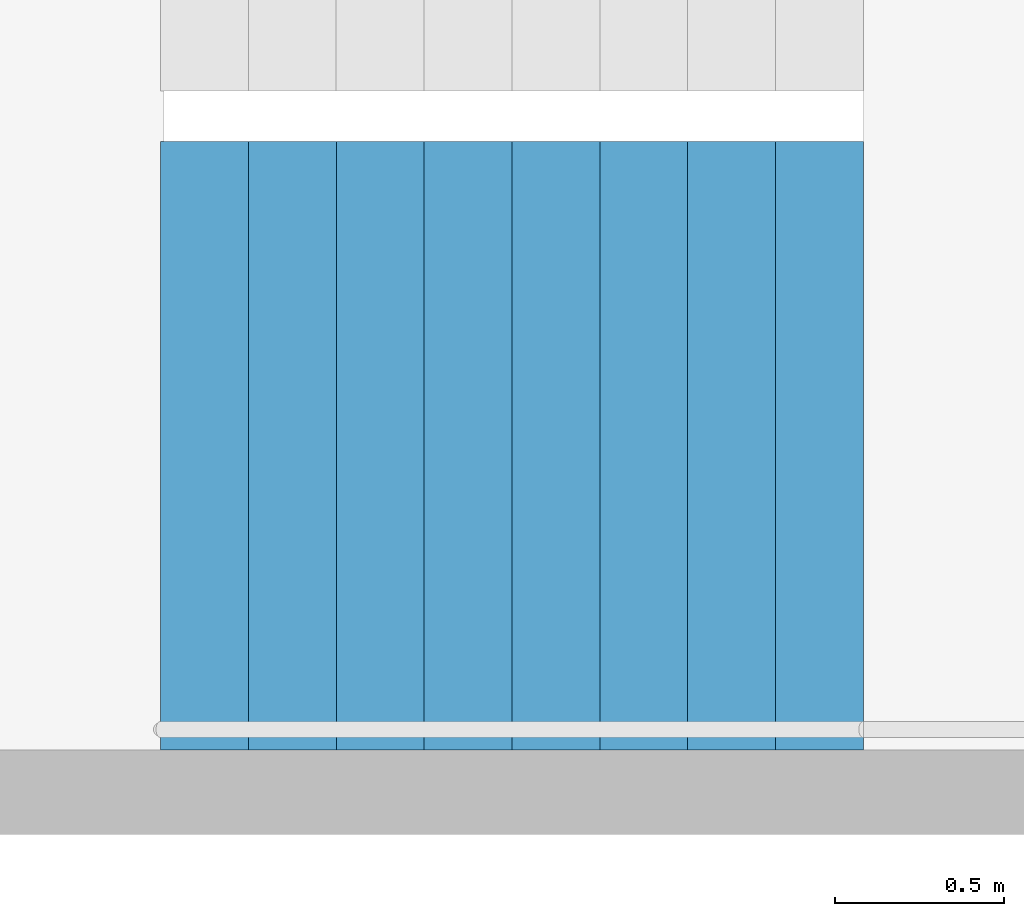
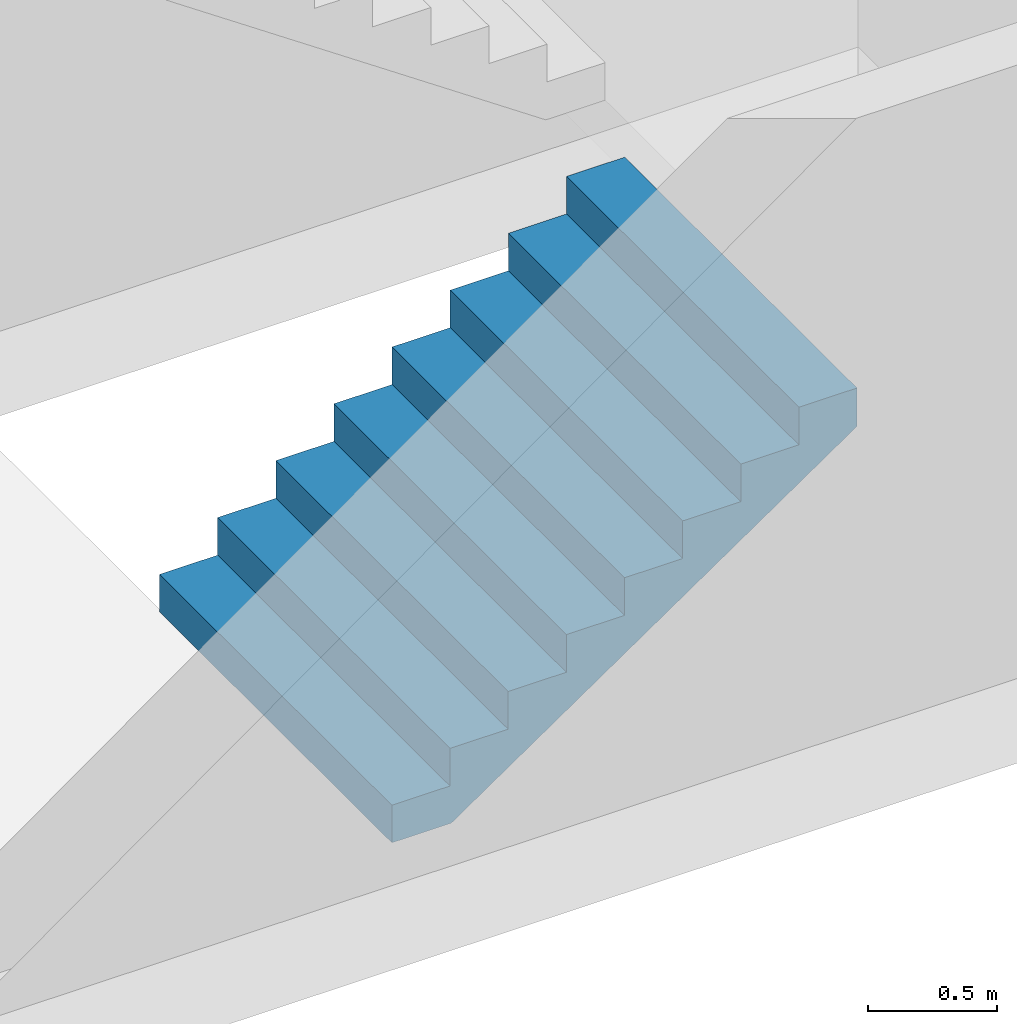
# One storey, part 23 of 29: 1 stair flight, 1 element without a shape of its own.
"""IFC4 building model written with IfcOpenShell, lengths in metres."""

from ifc_helpers import new_model, si_unit, direction, frame, origin, place, context, subcontext, project, spatial, triangles, material, type_object, element, aggregate, save


model = new_model("IFC4")

# Units and contexts
model_context = context("Model", 3, precision=1e-05, world=origin(), true_north=direction((0.0, 1.0)))
body_context = subcontext(model_context, "Body", "Model", "MODEL_VIEW")
ifc_project = project(units=[si_unit("LENGTHUNIT", "METRE"), si_unit("AREAUNIT", "SQUARE_METRE"), si_unit("VOLUMEUNIT", "CUBIC_METRE"), si_unit("PLANEANGLEUNIT", "RADIAN"), si_unit("MASSUNIT", "GRAM", prefix="KILO")], contexts=[model_context])

# Site, building, storey
site_placement = place(None, origin())
site = spatial("IfcSite", under=ifc_project, at=site_placement, CompositionType="ELEMENT")
building_placement = place(site_placement, origin())
building = spatial("IfcBuilding", under=site, at=building_placement, Name="Hakoniwa Tower and Hamabe Station Hall", CompositionType="ELEMENT")
storey_placement = place(building_placement, frame((0.0, 0.0, 61.39990234375)))
storey = spatial("IfcBuildingStorey", under=building, at=storey_placement, Name="L17", CompositionType="ELEMENT", Elevation=61.39990234375)

# Stair, stair flight
ifc_material_1 = material(Name="Concrete C40", Category="concrete")
stair_type = type_object("IfcStairType", Name="ESCAPE STAIR 1800", PredefinedType="HALF_TURN_STAIR", material=ifc_material_1)
stair_placement = place(storey_placement, origin())
stair = element("IfcStair", 1, at=stair_placement, inside=storey, type_object=stair_type, Name="Escape stair ST-1 L17", PredefinedType="HALF_TURN_STAIR")
ifc_material_2 = material(Name="Concrete C40", Category="concrete")
stair_flight_type = type_object("IfcStairFlightType", Name="STAIR FLIGHT 1800", PredefinedType="STRAIGHT", material=ifc_material_2)
stair_flight_placement = place(storey_placement, frame((-24.39990234375, 4.64990234375, 0.0), z_axis=(0.0, 0.0, 1.0), x_axis=(1.0, 0.0, 0.0)))
stair_flight = element("IfcStairFlight", 2, at=stair_flight_placement, type_object=stair_flight_type, Name="ST-1 flight 1", NumberOfRisers=9, NumberOfTreads=8, PredefinedType="STRAIGHT", RiserHeight=0.177777778, TreadLength=0.26, context=body_context, shape_type="Tessellation", body=[
    triangles([(0.0, 0.89990234375, 0.0), (0.260009765625, 0.89990234375, 0.0), (0.265625, 0.89990234375, 0.0), (0.52001953125, 0.89990234375, 0.174072265625), (0.780029296875, 0.89990234375, 0.351806640625), (1.0400390625, 0.89990234375, 0.529541015625), (1.300048828125, 0.89990234375, 0.707275390625), (1.56005859375, 0.89990234375, 0.885009765625), (1.820068359375, 0.89990234375, 1.062744140625), (2.080078125, 0.89990234375, 1.24072265625), (2.080078125, 0.89990234375, 1.422119140625), (1.820068359375, 0.89990234375, 1.422119140625), (1.820068359375, 0.89990234375, 1.244384765625), (1.56005859375, 0.89990234375, 1.244384765625), (1.56005859375, 0.89990234375, 1.066650390625), (1.300048828125, 0.89990234375, 1.066650390625), (1.300048828125, 0.89990234375, 0.888916015625), (1.0400390625, 0.89990234375, 0.888916015625), (1.0400390625, 0.89990234375, 0.711181640625), (0.780029296875, 0.89990234375, 0.711181640625), (0.780029296875, 0.89990234375, 0.533447265625), (0.52001953125, 0.89990234375, 0.533447265625), (0.52001953125, 0.89990234375, 0.35546875), (0.265625, 0.89990234375, 0.35546875), (0.260009765625, 0.89990234375, 0.35546875), (0.260009765625, 0.89990234375, 0.177734375), (0.0, 0.89990234375, 0.177734375), (0.0, 0.06005859375, 0.0), (0.260009765625, 0.06005859375, 0.0), (0.265625, 0.06005859375, 0.0), (0.52001953125, 0.06005859375, 0.174072265625), (0.780029296875, 0.06005859375, 0.351806640625), (1.0400390625, 0.06005859375, 0.529541015625), (1.300048828125, 0.06005859375, 0.707275390625), (1.56005859375, 0.06005859375, 0.885009765625), (1.820068359375, 0.06005859375, 1.062744140625), (2.080078125, 0.06005859375, 1.24072265625), (2.080078125, 0.06005859375, 1.422119140625), (1.820068359375, 0.06005859375, 1.422119140625), (1.820068359375, 0.06005859375, 1.244384765625), (1.56005859375, 0.06005859375, 1.244384765625), (1.56005859375, 0.06005859375, 1.066650390625), (1.300048828125, 0.06005859375, 1.066650390625), (1.300048828125, 0.06005859375, 0.888916015625), (1.0400390625, 0.06005859375, 0.888916015625), (1.0400390625, 0.06005859375, 0.711181640625), (0.780029296875, 0.06005859375, 0.711181640625), (0.780029296875, 0.06005859375, 0.533447265625), (0.52001953125, 0.06005859375, 0.533447265625), (0.52001953125, 0.06005859375, 0.35546875), (0.265625, 0.06005859375, 0.35546875), (0.260009765625, 0.06005859375, 0.35546875), (0.260009765625, 0.06005859375, 0.177734375), (0.0, 0.06005859375, 0.177734375), (0.0, 0.04296875, 0.0), (0.260009765625, 0.04296875, 0.0), (0.265625, 0.04296875, 0.0), (0.52001953125, 0.04296875, 0.174072265625), (0.780029296875, 0.04296875, 0.351806640625), (1.0400390625, 0.04296875, 0.529541015625), (1.300048828125, 0.04296875, 0.707275390625), (1.56005859375, 0.04296875, 0.885009765625), (1.820068359375, 0.04296875, 1.062744140625), (2.080078125, 0.04296875, 1.24072265625), (2.080078125, 0.04296875, 1.422119140625), (1.820068359375, 0.04296875, 1.422119140625), (1.820068359375, 0.04296875, 1.244384765625), (1.56005859375, 0.04296875, 1.244384765625), (1.56005859375, 0.04296875, 1.066650390625), (1.300048828125, 0.04296875, 1.066650390625), (1.300048828125, 0.04296875, 0.888916015625), (1.0400390625, 0.04296875, 0.888916015625), (1.0400390625, 0.04296875, 0.711181640625), (0.780029296875, 0.04296875, 0.711181640625), (0.780029296875, 0.04296875, 0.533447265625), (0.52001953125, 0.04296875, 0.533447265625), (0.52001953125, 0.04296875, 0.35546875), (0.265625, 0.04296875, 0.35546875), (0.260009765625, 0.04296875, 0.35546875), (0.260009765625, 0.04296875, 0.177734375), (0.0, 0.04296875, 0.177734375), (0.0, 0.025634765625, 0.0), (0.260009765625, 0.025634765625, 0.0), (0.265625, 0.025634765625, 0.0), (0.52001953125, 0.025634765625, 0.174072265625), (0.780029296875, 0.025634765625, 0.351806640625), (1.0400390625, 0.025634765625, 0.529541015625), (1.300048828125, 0.025634765625, 0.707275390625), (1.56005859375, 0.025634765625, 0.885009765625), (1.820068359375, 0.025634765625, 1.062744140625), (2.080078125, 0.025634765625, 1.24072265625), (2.080078125, 0.025634765625, 1.422119140625), (1.820068359375, 0.025634765625, 1.422119140625), (1.820068359375, 0.025634765625, 1.244384765625), (1.56005859375, 0.025634765625, 1.244384765625), (1.56005859375, 0.025634765625, 1.066650390625), (1.300048828125, 0.025634765625, 1.066650390625), (1.300048828125, 0.025634765625, 0.888916015625), (1.0400390625, 0.025634765625, 0.888916015625), (1.0400390625, 0.025634765625, 0.711181640625), (0.780029296875, 0.025634765625, 0.711181640625), (0.780029296875, 0.025634765625, 0.533447265625), (0.52001953125, 0.025634765625, 0.533447265625), (0.52001953125, 0.025634765625, 0.35546875), (0.265625, 0.025634765625, 0.35546875), (0.260009765625, 0.025634765625, 0.35546875), (0.260009765625, 0.025634765625, 0.177734375), (0.0, 0.025634765625, 0.177734375), (0.0, 0.008544921875, 0.0), (0.260009765625, 0.008544921875, 0.0), (0.265625, 0.008544921875, 0.0), (0.52001953125, 0.008544921875, 0.174072265625), (0.780029296875, 0.008544921875, 0.351806640625), (1.0400390625, 0.008544921875, 0.529541015625), (1.300048828125, 0.008544921875, 0.707275390625), (1.56005859375, 0.008544921875, 0.885009765625), (1.820068359375, 0.008544921875, 1.062744140625), (2.080078125, 0.008544921875, 1.24072265625), (2.080078125, 0.008544921875, 1.422119140625), (1.820068359375, 0.008544921875, 1.422119140625), (1.820068359375, 0.008544921875, 1.244384765625), (1.56005859375, 0.008544921875, 1.244384765625), (1.56005859375, 0.008544921875, 1.066650390625), (1.300048828125, 0.008544921875, 1.066650390625), (1.300048828125, 0.008544921875, 0.888916015625), (1.0400390625, 0.008544921875, 0.888916015625), (1.0400390625, 0.008544921875, 0.711181640625), (0.780029296875, 0.008544921875, 0.711181640625), (0.780029296875, 0.008544921875, 0.533447265625), (0.52001953125, 0.008544921875, 0.533447265625), (0.52001953125, 0.008544921875, 0.35546875), (0.265625, 0.008544921875, 0.35546875), (0.260009765625, 0.008544921875, 0.35546875), (0.260009765625, 0.008544921875, 0.177734375), (0.0, 0.008544921875, 0.177734375), (0.0, -0.008544921875, 0.0), (0.260009765625, -0.008544921875, 0.0), (0.265625, -0.008544921875, 0.0), (0.52001953125, -0.008544921875, 0.174072265625), (0.780029296875, -0.008544921875, 0.351806640625), (1.0400390625, -0.008544921875, 0.529541015625), (1.300048828125, -0.008544921875, 0.707275390625), (1.56005859375, -0.008544921875, 0.885009765625), (1.820068359375, -0.008544921875, 1.062744140625), (2.080078125, -0.008544921875, 1.24072265625), (2.080078125, -0.008544921875, 1.422119140625), (1.820068359375, -0.008544921875, 1.422119140625), (1.820068359375, -0.008544921875, 1.244384765625), (1.56005859375, -0.008544921875, 1.244384765625), (1.56005859375, -0.008544921875, 1.066650390625), (1.300048828125, -0.008544921875, 1.066650390625), (1.300048828125, -0.008544921875, 0.888916015625), (1.0400390625, -0.008544921875, 0.888916015625), (1.0400390625, -0.008544921875, 0.711181640625), (0.780029296875, -0.008544921875, 0.711181640625), (0.780029296875, -0.008544921875, 0.533447265625), (0.52001953125, -0.008544921875, 0.533447265625), (0.52001953125, -0.008544921875, 0.35546875), (0.265625, -0.008544921875, 0.35546875), (0.260009765625, -0.008544921875, 0.35546875), (0.260009765625, -0.008544921875, 0.177734375), (0.0, -0.008544921875, 0.177734375), (0.0, -0.025634765625, 0.0), (0.260009765625, -0.025634765625, 0.0), (0.265625, -0.025634765625, 0.0), (0.52001953125, -0.025634765625, 0.174072265625), (0.780029296875, -0.025634765625, 0.351806640625), (1.0400390625, -0.025634765625, 0.529541015625), (1.300048828125, -0.025634765625, 0.707275390625), (1.56005859375, -0.025634765625, 0.885009765625), (1.820068359375, -0.025634765625, 1.062744140625), (2.080078125, -0.025634765625, 1.24072265625), (2.080078125, -0.025634765625, 1.422119140625), (1.820068359375, -0.025634765625, 1.422119140625), (1.820068359375, -0.025634765625, 1.244384765625), (1.56005859375, -0.025634765625, 1.244384765625), (1.56005859375, -0.025634765625, 1.066650390625), (1.300048828125, -0.025634765625, 1.066650390625), (1.300048828125, -0.025634765625, 0.888916015625), (1.0400390625, -0.025634765625, 0.888916015625), (1.0400390625, -0.025634765625, 0.711181640625), (0.780029296875, -0.025634765625, 0.711181640625), (0.780029296875, -0.025634765625, 0.533447265625), (0.52001953125, -0.025634765625, 0.533447265625), (0.52001953125, -0.025634765625, 0.35546875), (0.265625, -0.025634765625, 0.35546875), (0.260009765625, -0.025634765625, 0.35546875), (0.260009765625, -0.025634765625, 0.177734375), (0.0, -0.025634765625, 0.177734375), (0.0, -0.04296875, 0.0), (0.260009765625, -0.04296875, 0.0), (0.265625, -0.04296875, 0.0), (0.52001953125, -0.04296875, 0.174072265625), (0.780029296875, -0.04296875, 0.351806640625), (1.0400390625, -0.04296875, 0.529541015625), (1.300048828125, -0.04296875, 0.707275390625), (1.56005859375, -0.04296875, 0.885009765625), (1.820068359375, -0.04296875, 1.062744140625), (2.080078125, -0.04296875, 1.24072265625), (2.080078125, -0.04296875, 1.422119140625), (1.820068359375, -0.04296875, 1.422119140625), (1.820068359375, -0.04296875, 1.244384765625), (1.56005859375, -0.04296875, 1.244384765625), (1.56005859375, -0.04296875, 1.066650390625), (1.300048828125, -0.04296875, 1.066650390625), (1.300048828125, -0.04296875, 0.888916015625), (1.0400390625, -0.04296875, 0.888916015625), (1.0400390625, -0.04296875, 0.711181640625), (0.780029296875, -0.04296875, 0.711181640625), (0.780029296875, -0.04296875, 0.533447265625), (0.52001953125, -0.04296875, 0.533447265625), (0.52001953125, -0.04296875, 0.35546875), (0.265625, -0.04296875, 0.35546875), (0.260009765625, -0.04296875, 0.35546875), (0.260009765625, -0.04296875, 0.177734375), (0.0, -0.04296875, 0.177734375), (0.0, -0.06005859375, 0.0), (0.260009765625, -0.06005859375, 0.0), (0.265625, -0.06005859375, 0.0), (0.52001953125, -0.06005859375, 0.174072265625), (0.780029296875, -0.06005859375, 0.351806640625), (1.0400390625, -0.06005859375, 0.529541015625), (1.300048828125, -0.06005859375, 0.707275390625), (1.56005859375, -0.06005859375, 0.885009765625), (1.820068359375, -0.06005859375, 1.062744140625), (2.080078125, -0.06005859375, 1.24072265625), (2.080078125, -0.06005859375, 1.422119140625), (1.820068359375, -0.06005859375, 1.422119140625), (1.820068359375, -0.06005859375, 1.244384765625), (1.56005859375, -0.06005859375, 1.244384765625), (1.56005859375, -0.06005859375, 1.066650390625), (1.300048828125, -0.06005859375, 1.066650390625), (1.300048828125, -0.06005859375, 0.888916015625), (1.0400390625, -0.06005859375, 0.888916015625), (1.0400390625, -0.06005859375, 0.711181640625), (0.780029296875, -0.06005859375, 0.711181640625), (0.780029296875, -0.06005859375, 0.533447265625), (0.52001953125, -0.06005859375, 0.533447265625), (0.52001953125, -0.06005859375, 0.35546875), (0.265625, -0.06005859375, 0.35546875), (0.260009765625, -0.06005859375, 0.35546875), (0.260009765625, -0.06005859375, 0.177734375), (0.0, -0.06005859375, 0.177734375), (0.0, -0.89990234375, 0.0), (0.260009765625, -0.89990234375, 0.0), (0.265625, -0.89990234375, 0.0), (0.52001953125, -0.89990234375, 0.174072265625), (0.780029296875, -0.89990234375, 0.351806640625), (1.0400390625, -0.89990234375, 0.529541015625), (1.300048828125, -0.89990234375, 0.707275390625), (1.56005859375, -0.89990234375, 0.885009765625), (1.820068359375, -0.89990234375, 1.062744140625), (2.080078125, -0.89990234375, 1.24072265625), (2.080078125, -0.89990234375, 1.422119140625), (1.820068359375, -0.89990234375, 1.422119140625), (1.820068359375, -0.89990234375, 1.244384765625), (1.56005859375, -0.89990234375, 1.244384765625), (1.56005859375, -0.89990234375, 1.066650390625), (1.300048828125, -0.89990234375, 1.066650390625), (1.300048828125, -0.89990234375, 0.888916015625), (1.0400390625, -0.89990234375, 0.888916015625), (1.0400390625, -0.89990234375, 0.711181640625), (0.780029296875, -0.89990234375, 0.711181640625), (0.780029296875, -0.89990234375, 0.533447265625), (0.52001953125, -0.89990234375, 0.533447265625), (0.52001953125, -0.89990234375, 0.35546875), (0.265625, -0.89990234375, 0.35546875), (0.260009765625, -0.89990234375, 0.35546875), (0.260009765625, -0.89990234375, 0.177734375), (0.0, -0.89990234375, 0.177734375)], [[2, 27, 26], [245, 269, 270], [2, 1, 27], [245, 270, 244], [3, 25, 24], [246, 267, 268], [3, 26, 25], [246, 268, 269], [3, 2, 26], [246, 269, 245], [4, 24, 23], [247, 266, 267], [4, 3, 24], [247, 267, 246], [5, 22, 21], [248, 264, 265], [5, 23, 22], [248, 265, 266], [5, 4, 23], [248, 266, 247], [6, 20, 19], [249, 262, 263], [6, 21, 20], [249, 263, 264], [6, 5, 21], [249, 264, 248], [7, 18, 17], [250, 260, 261], [7, 19, 18], [250, 261, 262], [7, 6, 19], [250, 262, 249], [8, 16, 15], [251, 258, 259], [8, 17, 16], [251, 259, 260], [8, 7, 17], [251, 260, 250], [9, 14, 13], [252, 256, 257], [9, 15, 14], [252, 257, 258], [9, 8, 15], [252, 258, 251], [10, 12, 11], [253, 254, 255], [10, 13, 12], [253, 255, 256], [10, 9, 13], [253, 256, 252], [1, 2, 29], [1, 29, 28], [28, 29, 56], [28, 56, 55], [55, 56, 83], [55, 83, 82], [82, 83, 110], [82, 110, 109], [109, 110, 137], [109, 137, 136], [136, 137, 164], [136, 164, 163], [163, 164, 191], [163, 191, 190], [190, 191, 218], [190, 218, 217], [217, 218, 245], [217, 245, 244], [2, 3, 30], [2, 30, 29], [29, 30, 57], [29, 57, 56], [56, 57, 84], [56, 84, 83], [83, 84, 111], [83, 111, 110], [110, 111, 138], [110, 138, 137], [137, 138, 165], [137, 165, 164], [164, 165, 192], [164, 192, 191], [191, 192, 219], [191, 219, 218], [218, 219, 246], [218, 246, 245], [3, 4, 31], [3, 31, 30], [30, 31, 58], [30, 58, 57], [57, 58, 85], [57, 85, 84], [84, 85, 112], [84, 112, 111], [111, 112, 139], [111, 139, 138], [138, 139, 166], [138, 166, 165], [165, 166, 193], [165, 193, 192], [192, 193, 220], [192, 220, 219], [219, 220, 247], [219, 247, 246], [4, 5, 32], [4, 32, 31], [31, 32, 59], [31, 59, 58], [58, 59, 86], [58, 86, 85], [85, 86, 113], [85, 113, 112], [112, 113, 140], [112, 140, 139], [139, 140, 167], [139, 167, 166], [166, 167, 194], [166, 194, 193], [193, 194, 221], [193, 221, 220], [220, 221, 248], [220, 248, 247], [5, 6, 33], [5, 33, 32], [32, 33, 60], [32, 60, 59], [59, 60, 87], [59, 87, 86], [86, 87, 114], [86, 114, 113], [113, 114, 141], [113, 141, 140], [140, 141, 168], [140, 168, 167], [167, 168, 195], [167, 195, 194], [194, 195, 222], [194, 222, 221], [221, 222, 249], [221, 249, 248], [6, 7, 34], [6, 34, 33], [33, 34, 61], [33, 61, 60], [60, 61, 88], [60, 88, 87], [87, 88, 115], [87, 115, 114], [114, 115, 142], [114, 142, 141], [141, 142, 169], [141, 169, 168], [168, 169, 196], [168, 196, 195], [195, 196, 223], [195, 223, 222], [222, 223, 250], [222, 250, 249], [7, 8, 35], [7, 35, 34], [34, 35, 62], [34, 62, 61], [61, 62, 89], [61, 89, 88], [88, 89, 116], [88, 116, 115], [115, 116, 143], [115, 143, 142], [142, 143, 170], [142, 170, 169], [169, 170, 197], [169, 197, 196], [196, 197, 224], [196, 224, 223], [223, 224, 251], [223, 251, 250], [8, 9, 36], [8, 36, 35], [35, 36, 63], [35, 63, 62], [62, 63, 90], [62, 90, 89], [89, 90, 117], [89, 117, 116], [116, 117, 144], [116, 144, 143], [143, 144, 171], [143, 171, 170], [170, 171, 198], [170, 198, 197], [197, 198, 225], [197, 225, 224], [224, 225, 252], [224, 252, 251], [9, 10, 37], [9, 37, 36], [36, 37, 64], [36, 64, 63], [63, 64, 91], [63, 91, 90], [90, 91, 118], [90, 118, 117], [117, 118, 145], [117, 145, 144], [144, 145, 172], [144, 172, 171], [171, 172, 199], [171, 199, 198], [198, 199, 226], [198, 226, 225], [225, 226, 253], [225, 253, 252], [10, 11, 38], [10, 38, 37], [37, 38, 65], [37, 65, 64], [64, 65, 92], [64, 92, 91], [91, 92, 119], [91, 119, 118], [118, 119, 146], [118, 146, 145], [145, 146, 173], [145, 173, 172], [172, 173, 200], [172, 200, 199], [199, 200, 227], [199, 227, 226], [226, 227, 254], [226, 254, 253], [11, 12, 39], [11, 39, 38], [38, 39, 66], [38, 66, 65], [65, 66, 93], [65, 93, 92], [92, 93, 120], [92, 120, 119], [119, 120, 147], [119, 147, 146], [146, 147, 174], [146, 174, 173], [173, 174, 201], [173, 201, 200], [200, 201, 228], [200, 228, 227], [227, 228, 255], [227, 255, 254], [12, 13, 40], [12, 40, 39], [39, 40, 67], [39, 67, 66], [66, 67, 94], [66, 94, 93], [93, 94, 121], [93, 121, 120], [120, 121, 148], [120, 148, 147], [147, 148, 175], [147, 175, 174], [174, 175, 202], [174, 202, 201], [201, 202, 229], [201, 229, 228], [228, 229, 256], [228, 256, 255], [13, 14, 41], [13, 41, 40], [40, 41, 68], [40, 68, 67], [67, 68, 95], [67, 95, 94], [94, 95, 122], [94, 122, 121], [121, 122, 149], [121, 149, 148], [148, 149, 176], [148, 176, 175], [175, 176, 203], [175, 203, 202], [202, 203, 230], [202, 230, 229], [229, 230, 257], [229, 257, 256], [14, 15, 42], [14, 42, 41], [41, 42, 69], [41, 69, 68], [68, 69, 96], [68, 96, 95], [95, 96, 123], [95, 123, 122], [122, 123, 150], [122, 150, 149], [149, 150, 177], [149, 177, 176], [176, 177, 204], [176, 204, 203], [203, 204, 231], [203, 231, 230], [230, 231, 258], [230, 258, 257], [15, 16, 43], [15, 43, 42], [42, 43, 70], [42, 70, 69], [69, 70, 97], [69, 97, 96], [96, 97, 124], [96, 124, 123], [123, 124, 151], [123, 151, 150], [150, 151, 178], [150, 178, 177], [177, 178, 205], [177, 205, 204], [204, 205, 232], [204, 232, 231], [231, 232, 259], [231, 259, 258], [16, 17, 44], [16, 44, 43], [43, 44, 71], [43, 71, 70], [70, 71, 98], [70, 98, 97], [97, 98, 125], [97, 125, 124], [124, 125, 152], [124, 152, 151], [151, 152, 179], [151, 179, 178], [178, 179, 206], [178, 206, 205], [205, 206, 233], [205, 233, 232], [232, 233, 260], [232, 260, 259], [17, 18, 45], [17, 45, 44], [44, 45, 72], [44, 72, 71], [71, 72, 99], [71, 99, 98], [98, 99, 126], [98, 126, 125], [125, 126, 153], [125, 153, 152], [152, 153, 180], [152, 180, 179], [179, 180, 207], [179, 207, 206], [206, 207, 234], [206, 234, 233], [233, 234, 261], [233, 261, 260], [18, 19, 46], [18, 46, 45], [45, 46, 73], [45, 73, 72], [72, 73, 100], [72, 100, 99], [99, 100, 127], [99, 127, 126], [126, 127, 154], [126, 154, 153], [153, 154, 181], [153, 181, 180], [180, 181, 208], [180, 208, 207], [207, 208, 235], [207, 235, 234], [234, 235, 262], [234, 262, 261], [19, 20, 47], [19, 47, 46], [46, 47, 74], [46, 74, 73], [73, 74, 101], [73, 101, 100], [100, 101, 128], [100, 128, 127], [127, 128, 155], [127, 155, 154], [154, 155, 182], [154, 182, 181], [181, 182, 209], [181, 209, 208], [208, 209, 236], [208, 236, 235], [235, 236, 263], [235, 263, 262], [20, 21, 48], [20, 48, 47], [47, 48, 75], [47, 75, 74], [74, 75, 102], [74, 102, 101], [101, 102, 129], [101, 129, 128], [128, 129, 156], [128, 156, 155], [155, 156, 183], [155, 183, 182], [182, 183, 210], [182, 210, 209], [209, 210, 237], [209, 237, 236], [236, 237, 264], [236, 264, 263], [21, 22, 49], [21, 49, 48], [48, 49, 76], [48, 76, 75], [75, 76, 103], [75, 103, 102], [102, 103, 130], [102, 130, 129], [129, 130, 157], [129, 157, 156], [156, 157, 184], [156, 184, 183], [183, 184, 211], [183, 211, 210], [210, 211, 238], [210, 238, 237], [237, 238, 265], [237, 265, 264], [22, 23, 50], [22, 50, 49], [49, 50, 77], [49, 77, 76], [76, 77, 104], [76, 104, 103], [103, 104, 131], [103, 131, 130], [130, 131, 158], [130, 158, 157], [157, 158, 185], [157, 185, 184], [184, 185, 212], [184, 212, 211], [211, 212, 239], [211, 239, 238], [238, 239, 266], [238, 266, 265], [23, 24, 51], [23, 51, 50], [50, 51, 78], [50, 78, 77], [77, 78, 105], [77, 105, 104], [104, 105, 132], [104, 132, 131], [131, 132, 159], [131, 159, 158], [158, 159, 186], [158, 186, 185], [185, 186, 213], [185, 213, 212], [212, 213, 240], [212, 240, 239], [239, 240, 267], [239, 267, 266], [24, 25, 52], [24, 52, 51], [51, 52, 79], [51, 79, 78], [78, 79, 106], [78, 106, 105], [105, 106, 133], [105, 133, 132], [132, 133, 160], [132, 160, 159], [159, 160, 187], [159, 187, 186], [186, 187, 214], [186, 214, 213], [213, 214, 241], [213, 241, 240], [240, 241, 268], [240, 268, 267], [25, 26, 53], [25, 53, 52], [52, 53, 80], [52, 80, 79], [79, 80, 107], [79, 107, 106], [106, 107, 134], [106, 134, 133], [133, 134, 161], [133, 161, 160], [160, 161, 188], [160, 188, 187], [187, 188, 215], [187, 215, 214], [214, 215, 242], [214, 242, 241], [241, 242, 269], [241, 269, 268], [26, 27, 54], [26, 54, 53], [53, 54, 81], [53, 81, 80], [80, 81, 108], [80, 108, 107], [107, 108, 135], [107, 135, 134], [134, 135, 162], [134, 162, 161], [161, 162, 189], [161, 189, 188], [188, 189, 216], [188, 216, 215], [215, 216, 243], [215, 243, 242], [242, 243, 270], [242, 270, 269], [27, 1, 28], [27, 28, 54], [54, 28, 55], [54, 55, 81], [81, 55, 82], [81, 82, 108], [108, 82, 109], [108, 109, 135], [135, 109, 136], [135, 136, 162], [162, 136, 163], [162, 163, 189], [189, 163, 190], [189, 190, 216], [216, 190, 217], [216, 217, 243], [243, 217, 244], [243, 244, 270]], closed=True),
])
aggregate(stair, [stair_flight])

save(model, "model.ifc")
